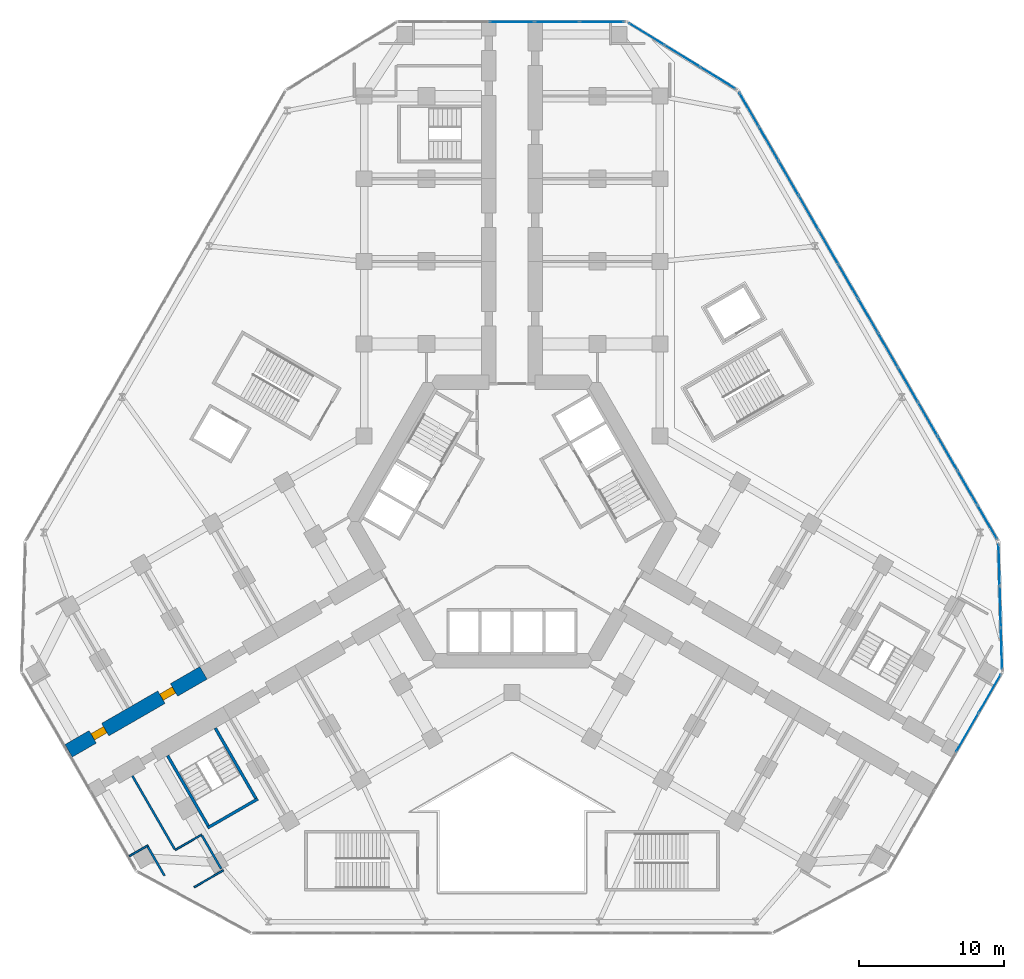
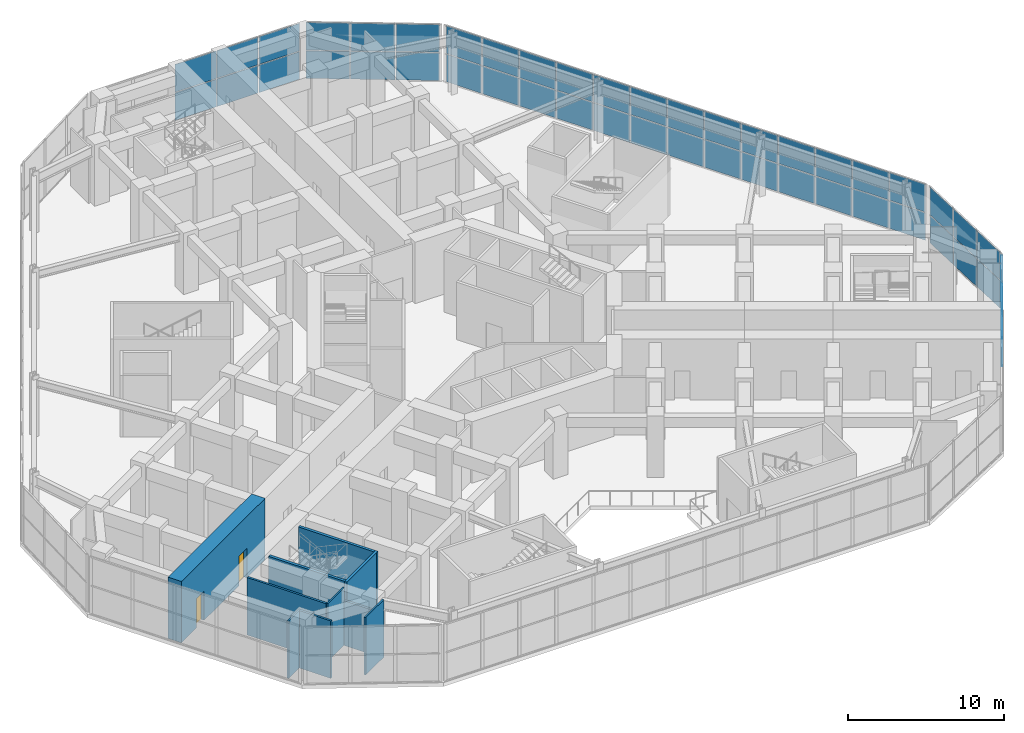
# One storey, part 14 of 21: 48 plates, 10 walls, 2 doors, 2 openings, 5 elements without a shape of their own.
"""IFC4 building model written with IfcOpenShell, lengths in metres."""

from ifc_helpers import new_model, si_unit, direction, frame, frame_2d, origin, origin_2d, place, context, subcontext, project, spatial, rectangle, extrude, material, layer, layer_set, type_object, element, fill, aggregate, save


model = new_model("IFC4")

# Units and contexts
model_context = context("Model", 3, precision=1e-05, world=origin(), true_north=direction((0.0, 1.0)))
body_context = subcontext(model_context, "Body", "Model", "MODEL_VIEW")
ifc_project = project(units=[si_unit("LENGTHUNIT", "METRE"), si_unit("AREAUNIT", "SQUARE_METRE"), si_unit("VOLUMEUNIT", "CUBIC_METRE"), si_unit("PLANEANGLEUNIT", "RADIAN"), si_unit("MASSUNIT", "GRAM", prefix="KILO")], contexts=[model_context])

# Site, building, storey
site_placement = place(None, origin())
site = spatial("IfcSite", under=ifc_project, at=site_placement, CompositionType="ELEMENT")
building_placement = place(site_placement, origin())
building = spatial("IfcBuilding", under=site, at=building_placement, Name="Kosmar Iwan School Tower", CompositionType="ELEMENT")
storey_placement = place(building_placement, frame((0.0, 0.0, 6.0)))
storey = spatial("IfcBuildingStorey", under=building, at=storey_placement, Name="L01", CompositionType="ELEMENT", Elevation=6.0)

# Curtain wall, plates
ifc_material_1 = material(Name="Dark glass in black aluminium frame", Category="aluminium")
curtain_wall_type_1 = type_object("IfcCurtainWallType", Name="Tower curtain wall dark glass", PredefinedType="USERDEFINED", material=ifc_material_1)
curtain_wall_1_placement = place(storey_placement, origin())
curtain_wall_1 = element("IfcCurtainWall", 1, at=curtain_wall_1_placement, inside=storey, type_object=curtain_wall_type_1, Name="Curtain wall L01-F02", ObjectType="UNITISED CURTAIN WALL", PredefinedType="USERDEFINED")
ifc_material_2 = material(Name="Dark glass", Category="glass")
ifc_layer_1 = layer(ifc_material_2, 0.028076171875)
ifc_layer_set_1 = layer_set([ifc_layer_1], Name="Dark glass panel 28")
plate_type = type_object("IfcPlateType", Name="Dark glass panel 28", PredefinedType="CURTAIN_PANEL", material=ifc_layer_set_1)
plate_1_placement = place(storey_placement, frame((31.4091796875, -14.5478515625, 0.06005859375), z_axis=(0.0, 0.0, 1.0), x_axis=(0.500000014057, 0.866025395669, 0.0)))
plate_1 = element("IfcPlate", 2, at=plate_1_placement, type_object=plate_type, Name="CW1 panel 4.1", PredefinedType="CURTAIN_PANEL", context=body_context, shape_type="SweptSolid", body=[
    extrude(rectangle(XDim=3.040771484375, YDim=0.028076171875, at=origin_2d()), origin(), (0.0, 0.0, 1.0), 2.159912109375),
])
plate_2_placement = place(storey_placement, frame((31.4091796875, -14.5478515625, 2.2802734375), z_axis=(0.0, 0.0, 1.0), x_axis=(0.500000014057, 0.866025395669, 0.0)))
plate_2 = element("IfcPlate", 3, at=plate_2_placement, type_object=plate_type, Name="CW1 panel 4.2", PredefinedType="CURTAIN_PANEL", context=body_context, shape_type="SweptSolid", body=[
    extrude(rectangle(XDim=3.040771484375, YDim=0.028076171875, at=origin_2d()), origin(), (0.0, 0.0, 1.0), 2.159912109375),
])
plate_3_placement = place(storey_placement, frame((32.953857421875, -11.8720703125, 0.06005859375), z_axis=(0.0, 0.0, 1.0), x_axis=(0.500000014057, 0.866025395669, 0.0)))
plate_3 = element("IfcPlate", 4, at=plate_3_placement, type_object=plate_type, Name="CW1 panel 5.1", PredefinedType="CURTAIN_PANEL", context=body_context, shape_type="SweptSolid", body=[
    extrude(rectangle(XDim=3.00830078125, YDim=0.028076171875, at=origin_2d()), origin(), (0.0, 0.0, 1.0), 2.159912109375),
])
plate_4_placement = place(storey_placement, frame((32.953857421875, -11.8720703125, 2.2802734375), z_axis=(0.0, 0.0, 1.0), x_axis=(0.500000014057, 0.866025395669, 0.0)))
plate_4 = element("IfcPlate", 5, at=plate_4_placement, type_object=plate_type, Name="CW1 panel 5.2", PredefinedType="CURTAIN_PANEL", context=body_context, shape_type="SweptSolid", body=[
    extrude(rectangle(XDim=3.00830078125, YDim=0.028076171875, at=origin_2d()), origin(), (0.0, 0.0, 1.0), 2.159912109375),
])
aggregate(curtain_wall_1, [plate_1, plate_2, plate_3, plate_4])

ifc_material_3 = material(Name="Dark glass in black aluminium frame", Category="aluminium")
curtain_wall_type_2 = type_object("IfcCurtainWallType", Name="Podium curtain wall", PredefinedType="USERDEFINED", material=ifc_material_3)
curtain_wall_2_placement = place(storey_placement, origin())
curtain_wall_2 = element("IfcCurtainWall", 6, at=curtain_wall_2_placement, inside=storey, type_object=curtain_wall_type_2, Name="Curtain wall L01-F03", ObjectType="STICK CURTAIN WALL", PredefinedType="USERDEFINED")
plate_5_placement = place(storey_placement, frame((33.767578125, -8.765380859375, 0.06005859375), z_axis=(0.0, 0.0, 1.0), x_axis=(-0.028386151255, 0.999597032017, 0.0)))
plate_5 = element("IfcPlate", 7, at=plate_5_placement, type_object=plate_type, Name="CW3 panel 1.1", PredefinedType="CURTAIN_PANEL", context=body_context, shape_type="SweptSolid", body=[
    extrude(rectangle(XDim=2.806884765625, YDim=0.028076171875, at=origin_2d()), origin(), (0.0, 0.0, 1.0), 2.159912109375),
])
plate_6_placement = place(storey_placement, frame((33.767578125, -8.765380859375, 2.2802734375), z_axis=(0.0, 0.0, 1.0), x_axis=(-0.028386151255, 0.999597032017, 0.0)))
plate_6 = element("IfcPlate", 8, at=plate_6_placement, type_object=plate_type, Name="CW3 panel 1.2", PredefinedType="CURTAIN_PANEL", context=body_context, shape_type="SweptSolid", body=[
    extrude(rectangle(XDim=2.806884765625, YDim=0.028076171875, at=origin_2d()), origin(), (0.0, 0.0, 1.0), 2.159912109375),
])
plate_7_placement = place(storey_placement, frame((33.685546875, -5.87841796875, 0.06005859375), z_axis=(0.0, 0.0, 1.0), x_axis=(-0.028386151255, 0.999597032017, 0.0)))
plate_7 = element("IfcPlate", 9, at=plate_7_placement, type_object=plate_type, Name="CW3 panel 2.1", PredefinedType="CURTAIN_PANEL", context=body_context, shape_type="SweptSolid", body=[
    extrude(rectangle(XDim=2.83935546875, YDim=0.028076171875, at=origin_2d()), origin(), (0.0, 0.0, 1.0), 2.159912109375),
])
plate_8_placement = place(storey_placement, frame((33.685546875, -5.87841796875, 2.2802734375), z_axis=(0.0, 0.0, 1.0), x_axis=(-0.028386151255, 0.999597032017, 0.0)))
plate_8 = element("IfcPlate", 10, at=plate_8_placement, type_object=plate_type, Name="CW3 panel 2.2", PredefinedType="CURTAIN_PANEL", context=body_context, shape_type="SweptSolid", body=[
    extrude(rectangle(XDim=2.83935546875, YDim=0.028076171875, at=origin_2d()), origin(), (0.0, 0.0, 1.0), 2.159912109375),
])
plate_9_placement = place(storey_placement, frame((33.603515625, -2.991455078125, 0.06005859375), z_axis=(0.0, 0.0, 1.0), x_axis=(-0.028386151255, 0.999597032017, 0.0)))
plate_9 = element("IfcPlate", 11, at=plate_9_placement, type_object=plate_type, Name="CW3 panel 3.1", PredefinedType="CURTAIN_PANEL", context=body_context, shape_type="SweptSolid", body=[
    extrude(rectangle(XDim=2.806884765625, YDim=0.028076171875, at=origin_2d()), origin(), (0.0, 0.0, 1.0), 2.159912109375),
])
plate_10_placement = place(storey_placement, frame((33.603515625, -2.991455078125, 2.2802734375), z_axis=(0.0, 0.0, 1.0), x_axis=(-0.028386151255, 0.999597032017, 0.0)))
plate_10 = element("IfcPlate", 12, at=plate_10_placement, type_object=plate_type, Name="CW3 panel 3.2", PredefinedType="CURTAIN_PANEL", context=body_context, shape_type="SweptSolid", body=[
    extrude(rectangle(XDim=2.806884765625, YDim=0.028076171875, at=origin_2d()), origin(), (0.0, 0.0, 1.0), 2.159912109375),
])
aggregate(curtain_wall_2, [plate_5, plate_6, plate_7, plate_8, plate_9, plate_10])

curtain_wall_3_placement = place(storey_placement, origin())
curtain_wall_3 = element("IfcCurtainWall", 13, at=curtain_wall_3_placement, inside=storey, type_object=curtain_wall_type_2, Name="Curtain wall L01-F04", ObjectType="STICK CURTAIN WALL", PredefinedType="USERDEFINED")
plate_11_placement = place(storey_placement, frame((32.789306640625, -0.04248046875, 0.06005859375), z_axis=(0.0, 0.0, 1.0), x_axis=(-0.50000002237, 0.866025390869, 0.0)))
plate_11 = element("IfcPlate", 14, at=plate_11_placement, type_object=plate_type, Name="CW3 panel 1.1", PredefinedType="CURTAIN_PANEL", context=body_context, shape_type="SweptSolid", body=[
    extrude(rectangle(XDim=2.643798828125, YDim=0.028076171875, at=origin_2d()), origin(), (0.0, 0.0, 1.0), 2.159912109375),
])
plate_12_placement = place(storey_placement, frame((32.789306640625, -0.04248046875, 2.2802734375), z_axis=(0.0, 0.0, 1.0), x_axis=(-0.50000002237, 0.866025390869, 0.0)))
plate_12 = element("IfcPlate", 15, at=plate_12_placement, type_object=plate_type, Name="CW3 panel 1.2", PredefinedType="CURTAIN_PANEL", context=body_context, shape_type="SweptSolid", body=[
    extrude(rectangle(XDim=2.643798828125, YDim=0.028076171875, at=origin_2d()), origin(), (0.0, 0.0, 1.0), 2.159912109375),
])
plate_13_placement = place(storey_placement, frame((31.4267578125, 2.3173828125, 0.06005859375), z_axis=(0.0, 0.0, 1.0), x_axis=(-0.50000002237, 0.866025390869, 0.0)))
plate_13 = element("IfcPlate", 16, at=plate_13_placement, type_object=plate_type, Name="CW3 panel 2.1", PredefinedType="CURTAIN_PANEL", context=body_context, shape_type="SweptSolid", body=[
    extrude(rectangle(XDim=2.67626953125, YDim=0.028076171875, at=origin_2d()), origin(), (0.0, 0.0, 1.0), 2.159912109375),
])
plate_14_placement = place(storey_placement, frame((31.4267578125, 2.3173828125, 2.2802734375), z_axis=(0.0, 0.0, 1.0), x_axis=(-0.50000002237, 0.866025390869, 0.0)))
plate_14 = element("IfcPlate", 17, at=plate_14_placement, type_object=plate_type, Name="CW3 panel 2.2", PredefinedType="CURTAIN_PANEL", context=body_context, shape_type="SweptSolid", body=[
    extrude(rectangle(XDim=2.67626953125, YDim=0.028076171875, at=origin_2d()), origin(), (0.0, 0.0, 1.0), 2.159912109375),
])
plate_15_placement = place(storey_placement, frame((30.05615234375, 4.69140625, 0.06005859375), z_axis=(0.0, 0.0, 1.0), x_axis=(-0.50000002237, 0.866025390869, 0.0)))
plate_15 = element("IfcPlate", 18, at=plate_15_placement, type_object=plate_type, Name="CW3 panel 3.1", PredefinedType="CURTAIN_PANEL", context=body_context, shape_type="SweptSolid", body=[
    extrude(rectangle(XDim=2.67626953125, YDim=0.028076171875, at=origin_2d()), origin(), (0.0, 0.0, 1.0), 2.159912109375),
])
plate_16_placement = place(storey_placement, frame((30.05615234375, 4.69140625, 2.2802734375), z_axis=(0.0, 0.0, 1.0), x_axis=(-0.50000002237, 0.866025390869, 0.0)))
plate_16 = element("IfcPlate", 19, at=plate_16_placement, type_object=plate_type, Name="CW3 panel 3.2", PredefinedType="CURTAIN_PANEL", context=body_context, shape_type="SweptSolid", body=[
    extrude(rectangle(XDim=2.67626953125, YDim=0.028076171875, at=origin_2d()), origin(), (0.0, 0.0, 1.0), 2.159912109375),
])
plate_17_placement = place(storey_placement, frame((28.685302734375, 7.0654296875, 0.06005859375), z_axis=(0.0, 0.0, 1.0), x_axis=(-0.50000002237, 0.866025390869, 0.0)))
plate_17 = element("IfcPlate", 20, at=plate_17_placement, type_object=plate_type, Name="CW3 panel 4.1", PredefinedType="CURTAIN_PANEL", context=body_context, shape_type="SweptSolid", body=[
    extrude(rectangle(XDim=2.67626953125, YDim=0.028076171875, at=origin_2d()), origin(), (0.0, 0.0, 1.0), 2.159912109375),
])
plate_18_placement = place(storey_placement, frame((28.685302734375, 7.0654296875, 2.2802734375), z_axis=(0.0, 0.0, 1.0), x_axis=(-0.50000002237, 0.866025390869, 0.0)))
plate_18 = element("IfcPlate", 21, at=plate_18_placement, type_object=plate_type, Name="CW3 panel 4.2", PredefinedType="CURTAIN_PANEL", context=body_context, shape_type="SweptSolid", body=[
    extrude(rectangle(XDim=2.67626953125, YDim=0.028076171875, at=origin_2d()), origin(), (0.0, 0.0, 1.0), 2.159912109375),
])
plate_19_placement = place(storey_placement, frame((27.314697265625, 9.439453125, 0.06005859375), z_axis=(0.0, 0.0, 1.0), x_axis=(-0.50000002237, 0.866025390869, 0.0)))
plate_19 = element("IfcPlate", 22, at=plate_19_placement, type_object=plate_type, Name="CW3 panel 5.1", PredefinedType="CURTAIN_PANEL", context=body_context, shape_type="SweptSolid", body=[
    extrude(rectangle(XDim=2.67626953125, YDim=0.028076171875, at=origin_2d()), origin(), (0.0, 0.0, 1.0), 2.159912109375),
])
plate_20_placement = place(storey_placement, frame((27.314697265625, 9.439453125, 2.2802734375), z_axis=(0.0, 0.0, 1.0), x_axis=(-0.50000002237, 0.866025390869, 0.0)))
plate_20 = element("IfcPlate", 23, at=plate_20_placement, type_object=plate_type, Name="CW3 panel 5.2", PredefinedType="CURTAIN_PANEL", context=body_context, shape_type="SweptSolid", body=[
    extrude(rectangle(XDim=2.67626953125, YDim=0.028076171875, at=origin_2d()), origin(), (0.0, 0.0, 1.0), 2.159912109375),
])
plate_21_placement = place(storey_placement, frame((25.944091796875, 11.8134765625, 0.06005859375), z_axis=(0.0, 0.0, 1.0), x_axis=(-0.50000002237, 0.866025390869, 0.0)))
plate_21 = element("IfcPlate", 24, at=plate_21_placement, type_object=plate_type, Name="CW3 panel 6.1", PredefinedType="CURTAIN_PANEL", context=body_context, shape_type="SweptSolid", body=[
    extrude(rectangle(XDim=2.67626953125, YDim=0.028076171875, at=origin_2d()), origin(), (0.0, 0.0, 1.0), 2.159912109375),
])
plate_22_placement = place(storey_placement, frame((25.944091796875, 11.8134765625, 2.2802734375), z_axis=(0.0, 0.0, 1.0), x_axis=(-0.50000002237, 0.866025390869, 0.0)))
plate_22 = element("IfcPlate", 25, at=plate_22_placement, type_object=plate_type, Name="CW3 panel 6.2", PredefinedType="CURTAIN_PANEL", context=body_context, shape_type="SweptSolid", body=[
    extrude(rectangle(XDim=2.67626953125, YDim=0.028076171875, at=origin_2d()), origin(), (0.0, 0.0, 1.0), 2.159912109375),
])
plate_23_placement = place(storey_placement, frame((24.573486328125, 14.1875, 0.06005859375), z_axis=(0.0, 0.0, 1.0), x_axis=(-0.50000002237, 0.866025390869, 0.0)))
plate_23 = element("IfcPlate", 26, at=plate_23_placement, type_object=plate_type, Name="CW3 panel 7.1", PredefinedType="CURTAIN_PANEL", context=body_context, shape_type="SweptSolid", body=[
    extrude(rectangle(XDim=2.67626953125, YDim=0.028076171875, at=origin_2d()), origin(), (0.0, 0.0, 1.0), 2.159912109375),
])
plate_24_placement = place(storey_placement, frame((24.573486328125, 14.1875, 2.2802734375), z_axis=(0.0, 0.0, 1.0), x_axis=(-0.50000002237, 0.866025390869, 0.0)))
plate_24 = element("IfcPlate", 27, at=plate_24_placement, type_object=plate_type, Name="CW3 panel 7.2", PredefinedType="CURTAIN_PANEL", context=body_context, shape_type="SweptSolid", body=[
    extrude(rectangle(XDim=2.67626953125, YDim=0.028076171875, at=origin_2d()), origin(), (0.0, 0.0, 1.0), 2.159912109375),
])
plate_25_placement = place(storey_placement, frame((23.202880859375, 16.5615234375, 0.06005859375), z_axis=(0.0, 0.0, 1.0), x_axis=(-0.50000002237, 0.866025390869, 0.0)))
plate_25 = element("IfcPlate", 28, at=plate_25_placement, type_object=plate_type, Name="CW3 panel 8.1", PredefinedType="CURTAIN_PANEL", context=body_context, shape_type="SweptSolid", body=[
    extrude(rectangle(XDim=2.67626953125, YDim=0.028076171875, at=origin_2d()), origin(), (0.0, 0.0, 1.0), 2.159912109375),
])
plate_26_placement = place(storey_placement, frame((23.202880859375, 16.5615234375, 2.2802734375), z_axis=(0.0, 0.0, 1.0), x_axis=(-0.50000002237, 0.866025390869, 0.0)))
plate_26 = element("IfcPlate", 29, at=plate_26_placement, type_object=plate_type, Name="CW3 panel 8.2", PredefinedType="CURTAIN_PANEL", context=body_context, shape_type="SweptSolid", body=[
    extrude(rectangle(XDim=2.67626953125, YDim=0.028076171875, at=origin_2d()), origin(), (0.0, 0.0, 1.0), 2.159912109375),
])
plate_27_placement = place(storey_placement, frame((21.832275390625, 18.935546875, 0.06005859375), z_axis=(0.0, 0.0, 1.0), x_axis=(-0.50000002237, 0.866025390869, 0.0)))
plate_27 = element("IfcPlate", 30, at=plate_27_placement, type_object=plate_type, Name="CW3 panel 9.1", PredefinedType="CURTAIN_PANEL", context=body_context, shape_type="SweptSolid", body=[
    extrude(rectangle(XDim=2.67626953125, YDim=0.028076171875, at=origin_2d()), origin(), (0.0, 0.0, 1.0), 2.159912109375),
])
plate_28_placement = place(storey_placement, frame((21.832275390625, 18.935546875, 2.2802734375), z_axis=(0.0, 0.0, 1.0), x_axis=(-0.50000002237, 0.866025390869, 0.0)))
plate_28 = element("IfcPlate", 31, at=plate_28_placement, type_object=plate_type, Name="CW3 panel 9.2", PredefinedType="CURTAIN_PANEL", context=body_context, shape_type="SweptSolid", body=[
    extrude(rectangle(XDim=2.67626953125, YDim=0.028076171875, at=origin_2d()), origin(), (0.0, 0.0, 1.0), 2.159912109375),
])
plate_29_placement = place(storey_placement, frame((20.46142578125, 21.3095703125, 0.06005859375), z_axis=(0.0, 0.0, 1.0), x_axis=(-0.50000002237, 0.866025390869, 0.0)))
plate_29 = element("IfcPlate", 32, at=plate_29_placement, type_object=plate_type, Name="CW3 panel 10.1", PredefinedType="CURTAIN_PANEL", context=body_context, shape_type="SweptSolid", body=[
    extrude(rectangle(XDim=2.67626953125, YDim=0.028076171875, at=origin_2d()), origin(), (0.0, 0.0, 1.0), 2.159912109375),
])
plate_30_placement = place(storey_placement, frame((20.46142578125, 21.3095703125, 2.2802734375), z_axis=(0.0, 0.0, 1.0), x_axis=(-0.50000002237, 0.866025390869, 0.0)))
plate_30 = element("IfcPlate", 33, at=plate_30_placement, type_object=plate_type, Name="CW3 panel 10.2", PredefinedType="CURTAIN_PANEL", context=body_context, shape_type="SweptSolid", body=[
    extrude(rectangle(XDim=2.67626953125, YDim=0.028076171875, at=origin_2d()), origin(), (0.0, 0.0, 1.0), 2.159912109375),
])
plate_31_placement = place(storey_placement, frame((19.0908203125, 23.68359375, 0.06005859375), z_axis=(0.0, 0.0, 1.0), x_axis=(-0.50000002237, 0.866025390869, 0.0)))
plate_31 = element("IfcPlate", 34, at=plate_31_placement, type_object=plate_type, Name="CW3 panel 11.1", PredefinedType="CURTAIN_PANEL", context=body_context, shape_type="SweptSolid", body=[
    extrude(rectangle(XDim=2.67626953125, YDim=0.028076171875, at=origin_2d()), origin(), (0.0, 0.0, 1.0), 2.159912109375),
])
plate_32_placement = place(storey_placement, frame((19.0908203125, 23.68359375, 2.2802734375), z_axis=(0.0, 0.0, 1.0), x_axis=(-0.50000002237, 0.866025390869, 0.0)))
plate_32 = element("IfcPlate", 35, at=plate_32_placement, type_object=plate_type, Name="CW3 panel 11.2", PredefinedType="CURTAIN_PANEL", context=body_context, shape_type="SweptSolid", body=[
    extrude(rectangle(XDim=2.67626953125, YDim=0.028076171875, at=origin_2d()), origin(), (0.0, 0.0, 1.0), 2.159912109375),
])
plate_33_placement = place(storey_placement, frame((17.72021484375, 26.0576171875, 0.06005859375), z_axis=(0.0, 0.0, 1.0), x_axis=(-0.50000002237, 0.866025390869, 0.0)))
plate_33 = element("IfcPlate", 36, at=plate_33_placement, type_object=plate_type, Name="CW3 panel 12.1", PredefinedType="CURTAIN_PANEL", context=body_context, shape_type="SweptSolid", body=[
    extrude(rectangle(XDim=2.67626953125, YDim=0.028076171875, at=origin_2d()), origin(), (0.0, 0.0, 1.0), 2.159912109375),
])
plate_34_placement = place(storey_placement, frame((17.72021484375, 26.0576171875, 2.2802734375), z_axis=(0.0, 0.0, 1.0), x_axis=(-0.50000002237, 0.866025390869, 0.0)))
plate_34 = element("IfcPlate", 37, at=plate_34_placement, type_object=plate_type, Name="CW3 panel 12.2", PredefinedType="CURTAIN_PANEL", context=body_context, shape_type="SweptSolid", body=[
    extrude(rectangle(XDim=2.67626953125, YDim=0.028076171875, at=origin_2d()), origin(), (0.0, 0.0, 1.0), 2.159912109375),
])
plate_35_placement = place(storey_placement, frame((16.357666015625, 28.41748046875, 0.06005859375), z_axis=(0.0, 0.0, 1.0), x_axis=(-0.50000002237, 0.866025390869, 0.0)))
plate_35 = element("IfcPlate", 38, at=plate_35_placement, type_object=plate_type, Name="CW3 panel 13.1", PredefinedType="CURTAIN_PANEL", context=body_context, shape_type="SweptSolid", body=[
    extrude(rectangle(XDim=2.643798828125, YDim=0.028076171875, at=origin_2d()), origin(), (0.0, 0.0, 1.0), 2.159912109375),
])
plate_36_placement = place(storey_placement, frame((16.357666015625, 28.41748046875, 2.2802734375), z_axis=(0.0, 0.0, 1.0), x_axis=(-0.50000002237, 0.866025390869, 0.0)))
plate_36 = element("IfcPlate", 39, at=plate_36_placement, type_object=plate_type, Name="CW3 panel 13.2", PredefinedType="CURTAIN_PANEL", context=body_context, shape_type="SweptSolid", body=[
    extrude(rectangle(XDim=2.643798828125, YDim=0.028076171875, at=origin_2d()), origin(), (0.0, 0.0, 1.0), 2.159912109375),
])
aggregate(curtain_wall_3, [plate_11, plate_12, plate_13, plate_14, plate_15, plate_16, plate_17, plate_18, plate_19, plate_20, plate_21, plate_22, plate_23, plate_24, plate_25, plate_26, plate_27, plate_28, plate_29, plate_30, plate_31, plate_32, plate_33, plate_34, plate_35, plate_36])

curtain_wall_4_placement = place(storey_placement, origin())
curtain_wall_4 = element("IfcCurtainWall", 40, at=curtain_wall_4_placement, inside=storey, type_object=curtain_wall_type_2, Name="Curtain wall L01-F05", ObjectType="STICK CURTAIN WALL", PredefinedType="USERDEFINED")
plate_37_placement = place(storey_placement, frame((14.211181640625, 30.59716796875, 0.06005859375), z_axis=(0.0, 0.0, 1.0), x_axis=(-0.851483299186, 0.524381722801, 0.0)))
plate_37 = element("IfcPlate", 41, at=plate_37_placement, type_object=plate_type, Name="CW3 panel 1.1", PredefinedType="CURTAIN_PANEL", context=body_context, shape_type="SweptSolid", body=[
    extrude(rectangle(XDim=2.806884765625, YDim=0.028076171875, at=origin_2d()), origin(), (0.0, 0.0, 1.0), 2.159912109375),
])
plate_38_placement = place(storey_placement, frame((14.211181640625, 30.59716796875, 2.2802734375), z_axis=(0.0, 0.0, 1.0), x_axis=(-0.851483299186, 0.524381722801, 0.0)))
plate_38 = element("IfcPlate", 42, at=plate_38_placement, type_object=plate_type, Name="CW3 panel 1.2", PredefinedType="CURTAIN_PANEL", context=body_context, shape_type="SweptSolid", body=[
    extrude(rectangle(XDim=2.806884765625, YDim=0.028076171875, at=origin_2d()), origin(), (0.0, 0.0, 1.0), 2.159912109375),
])
plate_39_placement = place(storey_placement, frame((11.751953125, 32.11181640625, 0.06005859375), z_axis=(0.0, 0.0, 1.0), x_axis=(-0.851483299186, 0.524381722801, 0.0)))
plate_39 = element("IfcPlate", 43, at=plate_39_placement, type_object=plate_type, Name="CW3 panel 2.1", PredefinedType="CURTAIN_PANEL", context=body_context, shape_type="SweptSolid", body=[
    extrude(rectangle(XDim=2.83935546875, YDim=0.028076171875, at=origin_2d()), origin(), (0.0, 0.0, 1.0), 2.159912109375),
])
plate_40_placement = place(storey_placement, frame((11.751953125, 32.11181640625, 2.2802734375), z_axis=(0.0, 0.0, 1.0), x_axis=(-0.851483299186, 0.524381722801, 0.0)))
plate_40 = element("IfcPlate", 44, at=plate_40_placement, type_object=plate_type, Name="CW3 panel 2.2", PredefinedType="CURTAIN_PANEL", context=body_context, shape_type="SweptSolid", body=[
    extrude(rectangle(XDim=2.83935546875, YDim=0.028076171875, at=origin_2d()), origin(), (0.0, 0.0, 1.0), 2.159912109375),
])
plate_41_placement = place(storey_placement, frame((9.292724609375, 33.626220703125, 0.06005859375), z_axis=(0.0, 0.0, 1.0), x_axis=(-0.851483299186, 0.524381722801, 0.0)))
plate_41 = element("IfcPlate", 45, at=plate_41_placement, type_object=plate_type, Name="CW3 panel 3.1", PredefinedType="CURTAIN_PANEL", context=body_context, shape_type="SweptSolid", body=[
    extrude(rectangle(XDim=2.806884765625, YDim=0.028076171875, at=origin_2d()), origin(), (0.0, 0.0, 1.0), 2.159912109375),
])
plate_42_placement = place(storey_placement, frame((9.292724609375, 33.626220703125, 2.2802734375), z_axis=(0.0, 0.0, 1.0), x_axis=(-0.851483299186, 0.524381722801, 0.0)))
plate_42 = element("IfcPlate", 46, at=plate_42_placement, type_object=plate_type, Name="CW3 panel 3.2", PredefinedType="CURTAIN_PANEL", context=body_context, shape_type="SweptSolid", body=[
    extrude(rectangle(XDim=2.806884765625, YDim=0.028076171875, at=origin_2d()), origin(), (0.0, 0.0, 1.0), 2.159912109375),
])
aggregate(curtain_wall_4, [plate_37, plate_38, plate_39, plate_40, plate_41, plate_42])

curtain_wall_5_placement = place(storey_placement, origin())
curtain_wall_5 = element("IfcCurtainWall", 47, at=curtain_wall_5_placement, inside=storey, type_object=curtain_wall_type_1, Name="Curtain wall L01-F06", ObjectType="UNITISED CURTAIN WALL", PredefinedType="USERDEFINED")
plate_43_placement = place(storey_placement, frame((6.1953125, 34.47509765625, 0.06005859375), z_axis=(0.0, 0.0, 1.0), x_axis=(-1.0, 0.0, 0.0)))
plate_43 = element("IfcPlate", 48, at=plate_43_placement, type_object=plate_type, Name="CW1 panel 1.1", PredefinedType="CURTAIN_PANEL", context=body_context, shape_type="SweptSolid", body=[
    extrude(rectangle(XDim=3.00830078125, YDim=0.028076171875, at=origin_2d()), origin(), (0.0, 0.0, 1.0), 2.159912109375),
])
plate_44_placement = place(storey_placement, frame((6.1953125, 34.47509765625, 2.2802734375), z_axis=(0.0, 0.0, 1.0), x_axis=(-1.0, 0.0, 0.0)))
plate_44 = element("IfcPlate", 49, at=plate_44_placement, type_object=plate_type, Name="CW1 panel 1.2", PredefinedType="CURTAIN_PANEL", context=body_context, shape_type="SweptSolid", body=[
    extrude(rectangle(XDim=3.00830078125, YDim=0.028076171875, at=origin_2d()), origin(), (0.0, 0.0, 1.0), 2.159912109375),
])
plate_45_placement = place(storey_placement, frame((3.10595703125, 34.47509765625, 0.06005859375), z_axis=(0.0, 0.0, 1.0), x_axis=(-1.0, 0.0, 0.0)))
plate_45 = element("IfcPlate", 50, at=plate_45_placement, type_object=plate_type, Name="CW1 panel 2.1", PredefinedType="CURTAIN_PANEL", context=body_context, shape_type="SweptSolid", body=[
    extrude(rectangle(XDim=3.040771484375, YDim=0.028076171875, at=origin_2d()), origin(), (0.0, 0.0, 1.0), 2.159912109375),
])
plate_46_placement = place(storey_placement, frame((3.10595703125, 34.47509765625, 2.2802734375), z_axis=(0.0, 0.0, 1.0), x_axis=(-1.0, 0.0, 0.0)))
plate_46 = element("IfcPlate", 51, at=plate_46_placement, type_object=plate_type, Name="CW1 panel 2.2", PredefinedType="CURTAIN_PANEL", context=body_context, shape_type="SweptSolid", body=[
    extrude(rectangle(XDim=3.040771484375, YDim=0.028076171875, at=origin_2d()), origin(), (0.0, 0.0, 1.0), 2.159912109375),
])
plate_47_placement = place(storey_placement, frame((0.0, 34.47509765625, 0.06005859375), z_axis=(0.0, 0.0, 1.0), x_axis=(-1.0, 0.0, 0.0)))
plate_47 = element("IfcPlate", 52, at=plate_47_placement, type_object=plate_type, Name="CW1 panel 3.1", PredefinedType="CURTAIN_PANEL", context=body_context, shape_type="SweptSolid", body=[
    extrude(rectangle(XDim=3.040771484375, YDim=0.028076171875, at=origin_2d()), origin(), (0.0, 0.0, 1.0), 2.159912109375),
])
plate_48_placement = place(storey_placement, frame((0.0, 34.47509765625, 2.2802734375), z_axis=(0.0, 0.0, 1.0), x_axis=(-1.0, 0.0, 0.0)))
plate_48 = element("IfcPlate", 53, at=plate_48_placement, type_object=plate_type, Name="CW1 panel 3.2", PredefinedType="CURTAIN_PANEL", context=body_context, shape_type="SweptSolid", body=[
    extrude(rectangle(XDim=3.040771484375, YDim=0.028076171875, at=origin_2d()), origin(), (0.0, 0.0, 1.0), 2.159912109375),
])
aggregate(curtain_wall_5, [plate_43, plate_44, plate_45, plate_46, plate_47, plate_48])

# Wall, openings, doors
ifc_material_4 = material(Name="Concrete C50/60", Category="concrete")
ifc_layer_2 = layer(ifc_material_4, 1.0)
ifc_layer_set_2 = layer_set([ifc_layer_2], Name="Corridor buttress wall 1000")
wall_type_1 = type_object("IfcWallType", Name="Corridor buttress wall 1000", PredefinedType="SHEAR", material=ifc_layer_set_2)
wall_1_placement = place(storey_placement, frame((-21.281494140625, -10.439453125, 0.0), z_axis=(0.0, 0.0, 1.0), x_axis=(-0.866032345022, -0.499987977232, 0.0)))
wall_1 = element("IfcWall", 54, at=wall_1_placement, inside=storey, type_object=wall_type_1, Name="Corridor wall BR bay 3", PredefinedType="SHEAR", context=body_context, shape_type="SweptSolid", body=[
    extrude(rectangle(XDim=10.744873046875, YDim=1.0, at=frame_2d((5.37255859375, 0.0))), origin(), (0.0, 0.0, 1.0), 4.800048828125),
])
opening_1_placement = place(wall_1_placement, frame((2.35009765625, 0.0, 0.0)))
opening_1 = element("IfcOpeningElement", 55, at=opening_1_placement, cuts=wall_1, Name="Opening D4", PredefinedType="OPENING", context=body_context, shape_type="SweptSolid", body=[
    extrude(rectangle(XDim=1.0, YDim=2.300048828125, at=frame_2d((0.5, 1.14990234375))), frame((0.0, 0.511962890625, 0.0), z_axis=(0.0, -1.0, 0.0), x_axis=(1.0, 0.0, 0.0)), (0.0, 0.0, 1.0), 1.02392578125),
])
opening_2_placement = place(wall_1_placement, frame((7.824951171875, 0.0, 0.0)))
opening_2 = element("IfcOpeningElement", 56, at=opening_2_placement, cuts=wall_1, Name="Opening D4", PredefinedType="OPENING", context=body_context, shape_type="SweptSolid", body=[
    extrude(rectangle(XDim=1.0, YDim=2.300048828125, at=frame_2d((0.5, 1.14990234375))), frame((0.0, 0.511962890625, 0.0), z_axis=(0.0, -1.0, 0.0), x_axis=(1.0, 0.0, 0.0)), (0.0, 0.0, 1.0), 1.02392578125),
])
ifc_material_5 = material(Name="Timber fire door with vision panel", Category="wood")
door_type = type_object("IfcDoorType", Name="Classroom door 1000x2300", OperationType="SINGLE_SWING_LEFT", PredefinedType="DOOR", material=ifc_material_5)
door_1_placement = place(opening_1_placement, origin())
door_1 = element("IfcDoor", 57, at=door_1_placement, inside=storey, type_object=door_type, Name="Kindergarten group room BR3 door L01-BR3", OperationType="SINGLE_SWING_LEFT", OverallHeight=2.300048828125, OverallWidth=1.0, PredefinedType="DOOR", context=body_context, shape_type="SweptSolid", body=[
    extrude(rectangle(XDim=1.0, YDim=2.300048828125, at=frame_2d((0.5, 1.14990234375))), frame((0.0, 0.25, 0.0), z_axis=(0.0, -1.0, 0.0), x_axis=(1.0, 0.0, 0.0)), (0.0, 0.0, 1.0), 0.5),
])
fill(opening_1, door_1)
door_2_placement = place(opening_2_placement, origin())
door_2 = element("IfcDoor", 58, at=door_2_placement, inside=storey, type_object=door_type, Name="Toilets door L01-BR4", OperationType="SINGLE_SWING_RIGHT", OverallHeight=2.300048828125, OverallWidth=1.0, PredefinedType="DOOR", context=body_context, shape_type="SweptSolid", body=[
    extrude(rectangle(XDim=1.0, YDim=2.300048828125, at=frame_2d((0.5, 1.14990234375))), frame((0.0, 0.25, 0.0), z_axis=(0.0, -1.0, 0.0), x_axis=(1.0, 0.0, 0.0)), (0.0, 0.0, 1.0), 0.5),
])
fill(opening_2, door_2)

# Walls
ifc_material_6 = material(Name="Gypsum board on steel studs", Category="steel")
ifc_layer_3 = layer(ifc_material_6, 0.1201171875)
ifc_layer_set_3 = layer_set([ifc_layer_3], Name="Dwelling partition 120")
wall_type_2 = type_object("IfcWallType", Name="Dwelling partition 120", PredefinedType="PARTITIONING", material=ifc_layer_set_3)
wall_2_placement = place(storey_placement, frame((-25.09716796875, -22.330322265625, 0.0), z_axis=(0.0, 0.0, 1.0), x_axis=(-0.866003374288, -0.500038154266, 0.0)))
element("IfcWall", 59, at=wall_2_placement, inside=storey, type_object=wall_type_2, Name="Partition L01-BL-DL", PredefinedType="PARTITIONING", context=body_context, shape_type="SweptSolid", body=[
    extrude(rectangle(XDim=1.4951171875, YDim=0.1201171875, at=frame_2d((0.74755859375, 0.0))), origin(), (0.0, 0.0, 1.0), 4.5),
])
wall_3_placement = place(storey_placement, frame((-19.912841796875, -24.059814453125, 0.0), z_axis=(0.0, 0.0, 1.0), x_axis=(-0.866024722723, -0.500001179632, 0.0)))
element("IfcWall", 60, at=wall_3_placement, inside=storey, type_object=wall_type_2, Name="Partition L01-BL-TW", PredefinedType="PARTITIONING", context=body_context, shape_type="SweptSolid", body=[
    extrude(rectangle(XDim=2.3251953125, YDim=0.1201171875, at=frame_2d((1.16259765625, 0.0))), origin(), (0.0, 0.0, 1.0), 4.5),
])
wall_4_placement = place(storey_placement, frame((-21.417724609375, -21.603271484375, 0.0), z_axis=(0.0, 0.0, 1.0), x_axis=(-0.866038466041, -0.499977374825, 0.0)))
element("IfcWall", 61, at=wall_4_placement, inside=storey, type_object=wall_type_2, Name="Partition L01-BL-X3L", PredefinedType="PARTITIONING", context=body_context, shape_type="SweptSolid", body=[
    extrude(rectangle(XDim=2.10009765625, YDim=0.1201171875, at=frame_2d((1.050048828125, 0.0))), origin(), (0.0, 0.0, 1.0), 4.5),
])
ifc_material_7 = material(Name="Concrete C35/45", Category="concrete")
ifc_layer_4 = layer(ifc_material_7, 0.199951171875)
ifc_layer_set_4 = layer_set([ifc_layer_4], Name="Escape stair wall 200")
wall_type_3 = type_object("IfcWallType", Name="Escape stair wall 200", PredefinedType="SHEAR", material=ifc_layer_set_4)
for number, where, z_axis, x_axis, name in (
    (62, (-20.470703125, -14.24365234375, 0.0), (0.0, 0.0, 1.0), (0.499987231761, -0.866032775405, 0.0), "Stair WS2 wall"),
    (63, (-23.76171875, -16.1435546875, 0.0), (0.0, 0.0, 1.0), (0.500018801468, -0.86601454848, 0.0), "Stair WS2 wall"),
):
    element("IfcWall", number, at=place(storey_placement, frame(where, z_axis=z_axis, x_axis=x_axis)), inside=storey, type_object=wall_type_3, Name=name, PredefinedType="SHEAR", context=body_context, shape_type="SweptSolid", body=[
        extrude(rectangle(XDim=5.800048828125, YDim=0.199951171875, at=frame_2d((2.89990234375, 0.0))), origin(), (0.0, 0.0, 1.0), 4.47998046875),
    ])
wall_5_placement = place(storey_placement, frame((-17.5341796875, -19.1298828125, 0.0), z_axis=(0.0, 0.0, 1.0), x_axis=(-0.866026010844, -0.49999894854, 0.0)))
element("IfcWall", 64, at=wall_5_placement, inside=storey, type_object=wall_type_3, Name="Stair WS2 wall", PredefinedType="SHEAR", context=body_context, shape_type="SweptSolid", body=[
    extrude(rectangle(XDim=4.0, YDim=0.199951171875, at=frame_2d((2.0, 0.0))), origin(), (0.0, 0.0, 1.0), 4.47998046875),
])
ifc_material_8 = material(Name="Gypsum board on steel studs", Category="steel")
ifc_layer_5 = layer(ifc_material_8, 0.14990234375)
ifc_layer_set_5 = layer_set([ifc_layer_5], Name="School partition 150")
wall_type_4 = type_object("IfcWallType", Name="School partition 150", PredefinedType="PARTITIONING", material=ifc_layer_set_5)
wall_6_placement = place(storey_placement, frame((-25.192138671875, -22.31591796875, 0.0), z_axis=(0.0, 0.0, 1.0), x_axis=(0.499973122483, -0.86604092097, 0.0)))
element("IfcWall", 65, at=wall_6_placement, inside=storey, type_object=wall_type_4, Name="Partition L01-BL-DC", PredefinedType="PARTITIONING", context=body_context, shape_type="SweptSolid", body=[
    extrude(rectangle(XDim=2.445068359375, YDim=0.14990234375, at=frame_2d((1.22265625, 0.0))), origin(), (0.0, 0.0, 1.0), 4.5),
])
wall_7_placement = place(storey_placement, frame((-21.387939453125, -21.6552734375, 0.0), z_axis=(0.0, 0.0, 1.0), x_axis=(0.500048002682, -0.865997687649, 0.0)))
element("IfcWall", 66, at=wall_7_placement, inside=storey, type_object=wall_type_4, Name="Partition L01-BL-X3", PredefinedType="PARTITIONING", context=body_context, shape_type="SweptSolid", body=[
    extrude(rectangle(XDim=2.639892578125, YDim=0.14990234375, at=frame_2d((1.31982421875, 0.0))), origin(), (0.0, 0.0, 1.0), 3.5),
])
wall_8_placement = place(storey_placement, frame((-26.1865234375, -17.543701171875, 0.0), z_axis=(0.0, 0.0, 1.0), x_axis=(0.49998782916, -0.866032430508, 0.0)))
element("IfcWall", 67, at=wall_8_placement, inside=storey, type_object=wall_type_4, Name="Partition L01-BL-X3T", PredefinedType="PARTITIONING", context=body_context, shape_type="SweptSolid", body=[
    extrude(rectangle(XDim=5.840087890625, YDim=0.14990234375, at=frame_2d((2.919921875, 0.0))), origin(), (0.0, 0.0, 1.0), 4.5),
])

save(model, "model.ifc")
